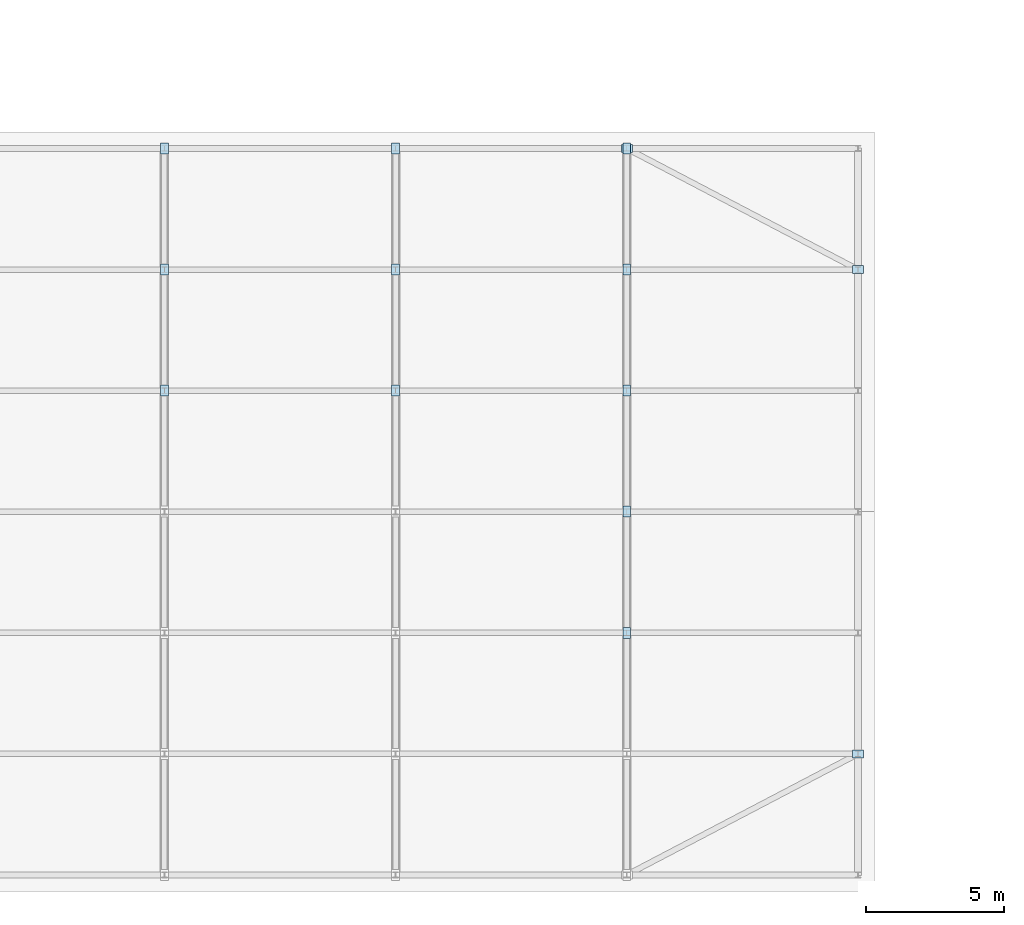
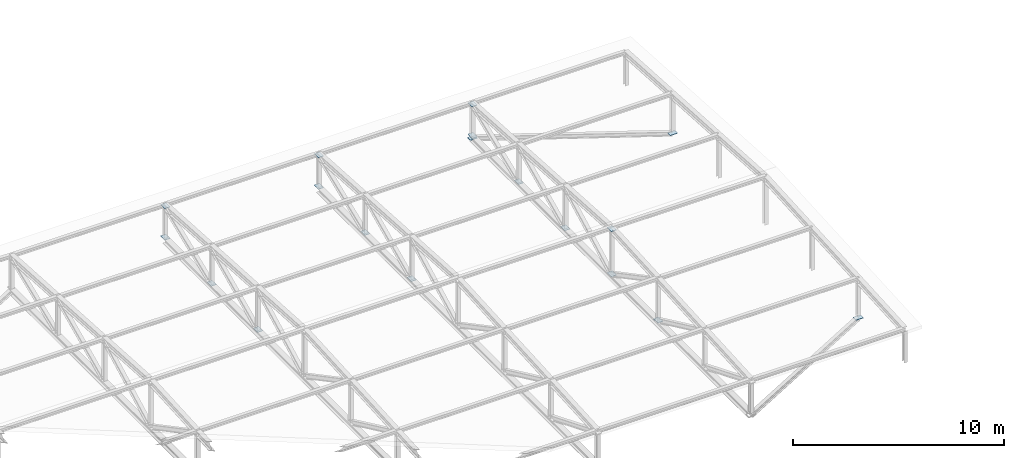
# One storey, part 34 of 49: 18 plates.
"""IFC4 building model written with IfcOpenShell, lengths in metres."""

from ifc_helpers import new_model, si_unit, direction, frame, origin, origin_2d, place, context, subcontext, project, spatial, rectangle, extrude, material, layer, layer_set, type_object, element, save


model = new_model("IFC4")

# Units and contexts
model_context = context("Model", 3, precision=1e-05, world=origin(), true_north=direction((0.0, 1.0)))
body_context = subcontext(model_context, "Body", "Model", "MODEL_VIEW")
ifc_project = project(units=[si_unit("LENGTHUNIT", "METRE"), si_unit("AREAUNIT", "SQUARE_METRE"), si_unit("VOLUMEUNIT", "CUBIC_METRE"), si_unit("PLANEANGLEUNIT", "RADIAN"), si_unit("MASSUNIT", "GRAM", prefix="KILO")], contexts=[model_context])

# Site, building, storey
site_placement = place(None, origin())
site = spatial("IfcSite", under=ifc_project, at=site_placement, CompositionType="ELEMENT")
building_placement = place(site_placement, origin())
building = spatial("IfcBuilding", under=site, at=building_placement, Name="Kemercrest Conservatory and Botanical Centre", CompositionType="ELEMENT")
storey_placement = place(building_placement, frame((0.0, 0.0, 13.199951171875)))
storey = spatial("IfcBuildingStorey", under=building, at=storey_placement, Name="L03", CompositionType="ELEMENT", Elevation=13.199951171875)

# Plates
ifc_material = material(Name="Steel CSA G40.21 350W", Category="steel")
ifc_layer = layer(ifc_material, 0.030029296875)
ifc_layer_set = layer_set([ifc_layer], Name="Steel CSA G40.21 350W")
plate_type = type_object("IfcPlateType", Name="GN-05", PredefinedType="USERDEFINED", material=ifc_layer_set)
for number, where, z_axis, x_axis, name in (
    (1, (100.39990234375, 21.199951171875, -0.1650390625), (0.0, 0.0, 1.0), (1.0, 0.0, 0.0), "Roof wind brace gusset plate GN-05 06-B"),
    (2, (100.39990234375, 38.800048828125, -0.1650390625), (0.0, 0.0, 1.0), (1.0, 0.0, 0.0), "Roof wind brace gusset plate GN-05 07-A"),
    (3, (92.0, 43.199951171875, -0.1650390625), (0.0, 0.0, 1.0), (1.0, 0.0, 0.0), "Roof wind brace gusset plate GN-05 07-B"),
    (4, (75.199951171875, 34.39990234375, -0.02978515625), (0.0, 0.0, 1.0), (0.0, 1.0, 0.0), "Auditorium truss bottom chord gusset plate GN-05 09-4"),
    (5, (75.199951171875, 38.800048828125, -0.02978515625), (0.0, 0.0, 1.0), (0.0, 1.0, 0.0), "Auditorium truss bottom chord gusset plate GN-05 09-5"),
    (6, (75.199951171875, 43.199951171875, 1.78515625), (0.0, 0.0, 1.0), (0.0, 1.0, 0.0), "Auditorium truss node gusset assembly GN-05 09-6"),
    (7, (75.199951171875, 43.199951171875, -0.02978515625), (0.0, 0.0, 1.0), (0.0, 1.0, 0.0), "Auditorium truss bottom chord gusset plate GN-05 09-6"),
    (8, (83.60009765625, 34.39990234375, -0.02978515625), (0.0, 0.0, 1.0), (0.0, 1.0, 0.0), "Auditorium truss bottom chord gusset plate GN-05 10-4"),
    (9, (83.60009765625, 38.800048828125, -0.02978515625), (0.0, 0.0, 1.0), (0.0, 1.0, 0.0), "Auditorium truss bottom chord gusset plate GN-05 10-5"),
    (10, (83.60009765625, 43.199951171875, 1.78515625), (0.0, 0.0, 1.0), (0.0, 1.0, 0.0), "Auditorium truss node gusset assembly GN-05 10-6"),
    (11, (83.60009765625, 43.199951171875, -0.02978515625), (0.0, 0.0, 1.0), (0.0, 1.0, 0.0), "Auditorium truss bottom chord gusset plate GN-05 10-6"),
    (12, (92.0, 25.60009765625, -0.02978515625), (0.0, 0.0, 1.0), (0.0, 1.0, 0.0), "Auditorium truss bottom chord gusset plate GN-05 11-2"),
    (13, (92.0, 30.0, 2.5849609375), (0.0, 0.0, 1.0), (0.0, 1.0, 0.0), "Auditorium truss node gusset assembly GN-05 11-3"),
    (14, (92.0, 30.0, -0.02978515625), (0.0, 0.0, 1.0), (0.0, 1.0, 0.0), "Auditorium truss bottom chord gusset plate GN-05 11-3"),
    (15, (92.0, 34.39990234375, -0.02978515625), (0.0, 0.0, 1.0), (0.0, 1.0, 0.0), "Auditorium truss bottom chord gusset plate GN-05 11-4"),
    (16, (92.0, 38.800048828125, -0.02978515625), (0.0, 0.0, 1.0), (0.0, 1.0, 0.0), "Auditorium truss bottom chord gusset plate GN-05 11-5"),
    (17, (92.0, 43.199951171875, 1.78515625), (0.0, 0.0, 1.0), (0.0, 1.0, 0.0), "Auditorium truss node gusset assembly GN-05 11-6"),
    (18, (92.0, 43.199951171875, -0.02978515625), (0.0, 0.0, 1.0), (0.0, 1.0, 0.0), "Auditorium truss bottom chord gusset plate GN-05 11-6"),
):
    element("IfcPlate", number, at=place(storey_placement, frame(where, z_axis=z_axis, x_axis=x_axis)), inside=storey, type_object=plate_type, Name=name, ObjectType="GUSSET PLATE", PredefinedType="USERDEFINED", context=body_context, shape_type="SweptSolid", body=[
        extrude(rectangle(XDim=0.39990234375, YDim=0.280029296875, at=origin_2d()), origin(), (0.0, 0.0, 1.0), 0.030029296875),
    ])

save(model, "model.ifc")
